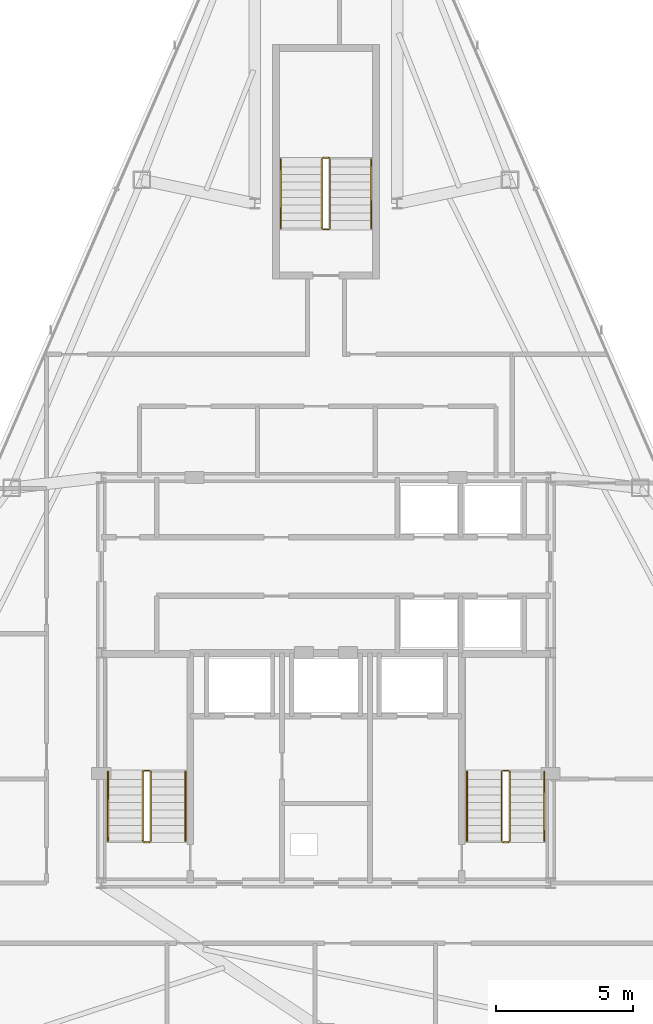
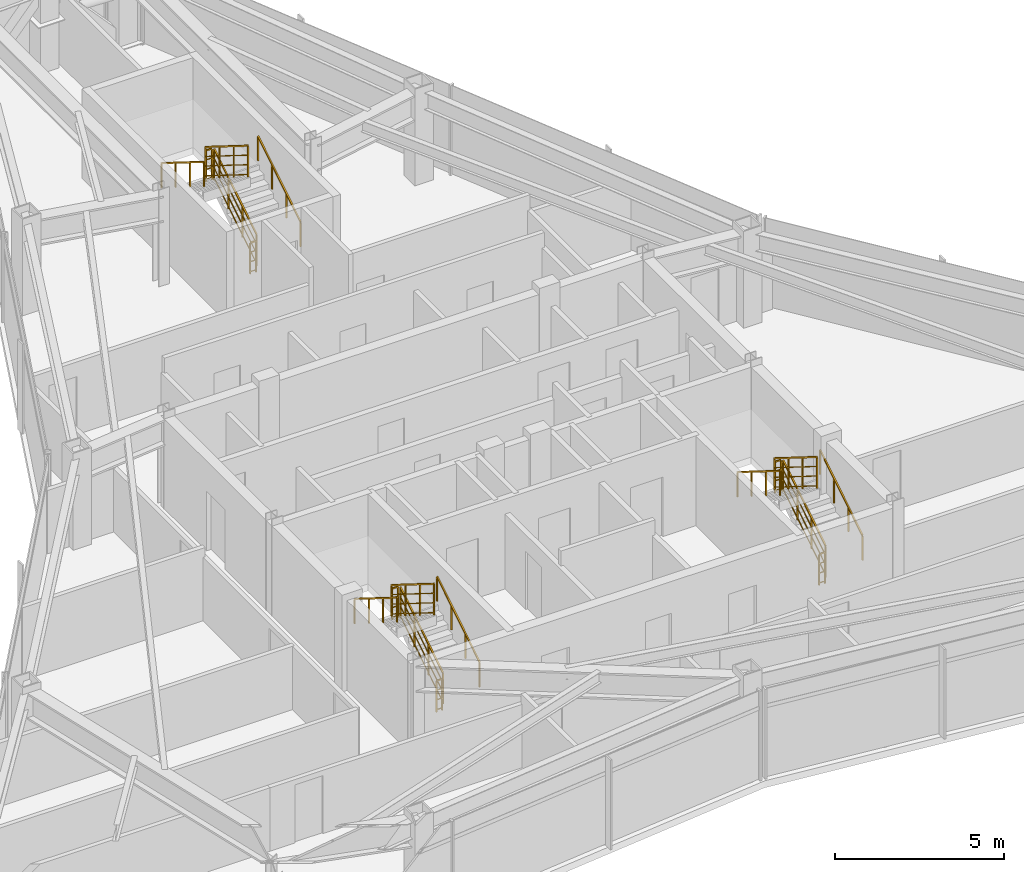
# One storey, part 12 of 12: 18 railings.
"""IFC4 building model written with IfcOpenShell, lengths in metres."""

import ifcopenshell
import ifcopenshell.guid

model = None  # the IFC model being written
_history = None  # IfcOwnerHistory: only IFC2X3 demands one
_inside = {}  # id of a spatial element -> (the spatial element, [elements in it])
_under = {}  # id of a project, library or spatial element -> (it, [spatial elements below it])
_declared = {}  # id of a project -> (the project, [libraries it declares])
_typed = {}  # id of a type object -> (the type object, [elements of that type])
_made_of = {}  # id of a material, layer set ... -> (it, [elements and type objects made of it])


def new_model(schema):
    """Start an empty IFC model of exactly this schema.

    Asked for "IFC4X3", IfcOpenShell would pick the latest addendum, in which some entities
    have other attributes; the version numbers below select the first issue.
    IFC2X3 requires an IfcOwnerHistory on every rooted entity: one is made here for all.
    """
    global model, _history
    if schema == "IFC4X3":
        model = ifcopenshell.file(schema_version=(4, 3, 0, 0))
    else:
        model = ifcopenshell.file(schema=schema)
    _inside.clear()
    _under.clear()
    _declared.clear()
    _typed.clear()
    _made_of.clear()
    _history = None
    if model.schema == "IFC2X3":
        org = make("IfcOrganization", Name="unknown")
        user = make(
            "IfcPersonAndOrganization",
            ThePerson=make("IfcPerson", FamilyName="unknown"),
            TheOrganization=org,
        )
        app = make(
            "IfcApplication",
            ApplicationDeveloper=org,
            Version="unknown",
            ApplicationFullName="unknown",
            ApplicationIdentifier="unknown",
        )
        _history = make(
            "IfcOwnerHistory",
            OwningUser=user,
            OwningApplication=app,
            ChangeAction="ADDED",
            CreationDate=0,
        )
    return model


def make(cls, **values):
    """One entity of the class cls with the attributes given. An attribute that is None is left unset."""
    return model.create_entity(
        cls, **{name: value for name, value in values.items() if value is not None}
    )


def rooted(cls, **values):
    """An entity with a GlobalId (a new one), such as an element, a storey or a relation."""
    return make(cls, GlobalId=ifcopenshell.guid.new(), OwnerHistory=_history, **values)


def si_unit(unit_type, name, prefix=None):
    """IfcSIUnit, for example si_unit("LENGTHUNIT", "METRE", prefix="MILLI")."""
    return make("IfcSIUnit", UnitType=unit_type, Prefix=prefix, Name=name)


def assignment(units):
    """IfcUnitAssignment: the units of a project."""
    return None if units is None else make("IfcUnitAssignment", Units=units)


def point(xyz):
    """IfcCartesianPoint."""
    return None if xyz is None else make("IfcCartesianPoint", Coordinates=xyz)


def direction(xyz):
    """IfcDirection."""
    return None if xyz is None else make("IfcDirection", DirectionRatios=xyz)


def frame(location, z_axis=None, x_axis=None):
    """IfcAxis2Placement3D, a coordinate frame: its origin and axes. An axis left out is left unset."""
    return make(
        "IfcAxis2Placement3D",
        Location=point(location),
        Axis=direction(z_axis),
        RefDirection=direction(x_axis),
    )


def frame_2d(location, x_axis=None):
    """IfcAxis2Placement2D, a coordinate frame in the plane: its origin and x axis."""
    return make(
        "IfcAxis2Placement2D", Location=point(location), RefDirection=direction(x_axis)
    )


def origin():
    """The frame at (0, 0, 0) with its axes left unset."""
    return frame((0.0, 0.0, 0.0))


def origin_2d():
    """The frame at (0, 0) in the plane with its x axis left unset."""
    return frame_2d((0.0, 0.0))


def place(relative_to, where):
    """IfcLocalPlacement: puts the frame where relative to a parent placement (None: the world)."""
    return make(
        "IfcLocalPlacement", PlacementRelTo=relative_to, RelativePlacement=where
    )


def context(
    kind, dimensions, precision=None, world=None, true_north=None, identifier=None
):
    """IfcGeometricRepresentationContext, for example the 3D "Model" context."""
    return make(
        "IfcGeometricRepresentationContext",
        ContextIdentifier=identifier,
        ContextType=kind,
        CoordinateSpaceDimension=dimensions,
        Precision=precision,
        WorldCoordinateSystem=world,
        TrueNorth=true_north,
    )


def subcontext(parent, identifier, kind, view, scale=None):
    """IfcGeometricRepresentationSubContext, for example "Body" below "Model"."""
    return make(
        "IfcGeometricRepresentationSubContext",
        ContextIdentifier=identifier,
        ContextType=kind,
        ParentContext=parent,
        TargetScale=scale,
        TargetView=view,
    )


def project(units=None, contexts=None):
    """IfcProject with its units and contexts."""
    return rooted(
        "IfcProject",
        Name="project",
        RepresentationContexts=contexts,
        UnitsInContext=assignment(units),
    )


def spatial(cls, under=None, at=None, **own):
    """A site, building, storey or space (cls), placed at a placement, below another one or the project."""
    s = rooted(cls, ObjectPlacement=at, **own)
    if under is not None:
        _under.setdefault(under.id(), (under, []))[1].append(s)
    return s


def profile(cls, at=None, kind="AREA", **sizes):
    """A parametric profile (cls). Its sizes go by their IFC names, for example OverallWidth=200.0."""
    return make(cls, ProfileType=kind, Position=at, **sizes)


def rectangle(**sizes):
    """IfcRectangleProfileDef."""
    return profile("IfcRectangleProfileDef", **sizes)


def extrude(swept, where, along, depth):
    """IfcExtrudedAreaSolid: the profile swept, set in the frame where, extruded along a direction by depth."""
    return make(
        "IfcExtrudedAreaSolid",
        SweptArea=swept,
        Position=where,
        ExtrudedDirection=direction(along),
        Depth=depth,
    )


def shape(context_of_items, identifier, shape_type, items):
    """IfcShapeRepresentation: the items that make up one representation, for example the "Body"."""
    return make(
        "IfcShapeRepresentation",
        ContextOfItems=context_of_items,
        RepresentationIdentifier=identifier,
        RepresentationType=shape_type,
        Items=items,
    )


def material(Name=None, Category=None):
    """IfcMaterial."""
    return make("IfcMaterial", Name=Name, Category=Category)


def made_of(thing, what):
    """Note that an element or type object is made of a material, layer set ...; save() writes the relation."""
    if what is not None:
        _made_of.setdefault(what.id(), (what, []))[1].append(thing)
    return thing


def type_object(cls, material=None, **own):
    """A type object (cls), such as IfcWallType, which elements share."""
    return made_of(rooted(cls, **own), material)


def element(
    cls,
    number,
    at=None,
    inside=None,
    cuts=None,
    type_object=None,
    material=None,
    context=None,
    identifier="Body",
    shape_type=None,
    held_by="IfcProductDefinitionShape",
    body=None,
    shapes=None,
    **own,
):
    """One element of the class cls, such as IfcWall. Its Tag is "e" and its number.

    at: its placement. inside: the storey or other place that contains it. cuts: it is an
    opening in that element (IfcRelVoidsElement). A single representation is given by context,
    identifier, shape_type and body (its items); several are given by shapes. held_by: the class
    of the entity that holds the representations. save() writes the other relations.
    """
    e = rooted(cls, Tag="e%d" % number, ObjectPlacement=at, **own)
    if body is not None:
        shapes = [shape(context, identifier, shape_type, body)]
    if shapes is not None:
        e.Representation = make(held_by, Representations=shapes)
    if inside is not None:
        _inside.setdefault(inside.id(), (inside, []))[1].append(e)
    if cuts is not None:
        rooted(
            "IfcRelVoidsElement", RelatingBuildingElement=cuts, RelatedOpeningElement=e
        )
    if type_object is not None:
        _typed.setdefault(type_object.id(), (type_object, []))[1].append(e)
    return made_of(e, material)


def aggregate(whole, parts):
    """IfcRelAggregates: a whole, such as a stair, and the parts it consists of."""
    return rooted("IfcRelAggregates", RelatingObject=whole, RelatedObjects=parts)


def save(model, path):
    """Write the relations noted so far, then the file.

    IfcRelAggregates (storeys below a building ...), IfcRelContainedInSpatialStructure (elements
    in a storey), IfcRelDefinesByType, IfcRelAssociatesMaterial and IfcRelDeclares: one each for
    every whole, place, type object, material and project.
    """
    for whole, parts in _under.values():
        aggregate(whole, parts)
    for where, things in _inside.values():
        rooted(
            "IfcRelContainedInSpatialStructure",
            RelatedElements=things,
            RelatingStructure=where,
        )
    for kind, things in _typed.values():
        rooted("IfcRelDefinesByType", RelatedObjects=things, RelatingType=kind)
    for what, things in _made_of.values():
        rooted("IfcRelAssociatesMaterial", RelatedObjects=things, RelatingMaterial=what)
    for by, libraries in _declared.values():
        rooted("IfcRelDeclares", RelatingContext=by, RelatedDefinitions=libraries)
    model.write(path)


model = new_model("IFC4")

# Units and contexts
model_context = context("Model", 3, precision=1e-05, world=origin(), true_north=direction((0.0, 1.0)))
body_context = subcontext(model_context, "Body", "Model", "MODEL_VIEW")
ifc_project = project(units=[si_unit("LENGTHUNIT", "METRE"), si_unit("AREAUNIT", "SQUARE_METRE"), si_unit("VOLUMEUNIT", "CUBIC_METRE"), si_unit("PLANEANGLEUNIT", "RADIAN"), si_unit("MASSUNIT", "GRAM", prefix="KILO")], contexts=[model_context])

# Site, building, storey
site_placement = place(None, origin())
site = spatial("IfcSite", under=ifc_project, at=site_placement, CompositionType="ELEMENT")
building_placement = place(site_placement, origin())
building = spatial("IfcBuilding", under=site, at=building_placement, Name="Varakhsha Concourse Tower", CompositionType="ELEMENT")
storey_placement = place(building_placement, frame((0.0, 0.0, 276.0)))
storey = spatial("IfcBuildingStorey", under=building, at=storey_placement, Name="L78", CompositionType="ELEMENT", Elevation=276.0)

# Railings
ifc_material = material(Name="Brushed Austenitic Stainless Steel AISI 316", Category="steel")
railing_type_1 = type_object("IfcRailingType", Name="RL-STAIR-GUARD-1100", PredefinedType="GUARDRAIL", material=ifc_material)
railing_1_placement = place(storey_placement, frame((33.610107421875, 17.93994140625, 0.175048828125)))
element("IfcRailing", 1, at=railing_1_placement, inside=storey, type_object=railing_type_1, Name="L78 ST1 stair guard 1", PredefinedType="GUARDRAIL", context=body_context, shape_type="SweptSolid", body=[
    extrude(rectangle(XDim=0.048095703125, YDim=0.048095703125, at=origin_2d()), frame((0.0, 0.0, 1.1259765625), z_axis=(0.0, 0.848007534815, 0.529984170421), x_axis=(-1.0, 0.0, 0.0)), (0.0, 0.0, 1.0), 2.9716796875),
    extrude(rectangle(XDim=0.028076171875, YDim=0.028076171875, at=origin_2d()), frame((0.0, 0.0, 0.080078125), z_axis=(0.0, 0.848007534815, 0.529984170421), x_axis=(-1.0, 0.0, 0.0)), (0.0, 0.0, 1.0), 2.9716796875),
    extrude(rectangle(XDim=0.028076171875, YDim=0.028076171875, at=origin_2d()), frame((0.0, 0.0, 0.43701171875), z_axis=(0.0, 0.848007534815, 0.529984170421), x_axis=(-1.0, 0.0, 0.0)), (0.0, 0.0, 1.0), 2.9716796875),
    extrude(rectangle(XDim=0.028076171875, YDim=0.028076171875, at=origin_2d()), frame((0.0, 0.0, 0.781982421875), z_axis=(0.0, 0.848007534815, 0.529984170421), x_axis=(-1.0, 0.0, 0.0)), (0.0, 0.0, 1.0), 2.9716796875),
    extrude(rectangle(XDim=0.0419921875, YDim=0.0419921875, at=origin_2d()), origin(), (0.0, 0.0, 1.0), 1.101806640625),
    extrude(rectangle(XDim=0.0419921875, YDim=0.0419921875, at=origin_2d()), frame((0.0, 0.840087890625, 0.52490234375)), (0.0, 0.0, 1.0), 1.101806640625),
    extrude(rectangle(XDim=0.0419921875, YDim=0.0419921875, at=origin_2d()), frame((0.0, 1.679931640625, 1.050048828125)), (0.0, 0.0, 1.0), 1.101806640625),
    extrude(rectangle(XDim=0.0419921875, YDim=0.0419921875, at=origin_2d()), frame((0.0, 2.52001953125, 1.574951171875)), (0.0, 0.0, 1.0), 1.101806640625),
])
railing_2_placement = place(storey_placement, frame((33.56005859375, 20.510009765625, 1.75)))
element("IfcRailing", 2, at=railing_2_placement, inside=storey, type_object=railing_type_1, Name="L78 ST1 stair guard 2", PredefinedType="GUARDRAIL", context=body_context, shape_type="SweptSolid", body=[
    extrude(rectangle(XDim=0.048095703125, YDim=0.048095703125, at=origin_2d()), frame((0.0, 0.0, 1.1259765625), z_axis=(-1.0, 0.0, 0.0), x_axis=(0.0, -1.0, 0.0)), (0.0, 0.0, 1.0), 0.199951171875),
    extrude(rectangle(XDim=0.028076171875, YDim=0.028076171875, at=origin_2d()), frame((0.0, 0.0, 0.080078125), z_axis=(-1.0, 0.0, 0.0), x_axis=(0.0, -1.0, 0.0)), (0.0, 0.0, 1.0), 0.199951171875),
    extrude(rectangle(XDim=0.028076171875, YDim=0.028076171875, at=origin_2d()), frame((0.0, 0.0, 0.43701171875), z_axis=(-1.0, 0.0, 0.0), x_axis=(0.0, -1.0, 0.0)), (0.0, 0.0, 1.0), 0.199951171875),
    extrude(rectangle(XDim=0.028076171875, YDim=0.028076171875, at=origin_2d()), frame((0.0, 0.0, 0.781982421875), z_axis=(-1.0, 0.0, 0.0), x_axis=(0.0, -1.0, 0.0)), (0.0, 0.0, 1.0), 0.199951171875),
    extrude(rectangle(XDim=0.0419921875, YDim=0.0419921875, at=origin_2d()), origin(), (0.0, 0.0, 1.0), 1.101806640625),
    extrude(rectangle(XDim=0.0419921875, YDim=0.0419921875, at=origin_2d()), frame((-0.199951171875, 0.0, 0.0)), (0.0, 0.0, 1.0), 1.101806640625),
])
railing_3_placement = place(storey_placement, frame((33.31005859375, 20.4599609375, 1.925048828125)))
element("IfcRailing", 3, at=railing_3_placement, inside=storey, type_object=railing_type_1, Name="L78 ST1 stair guard 3", PredefinedType="GUARDRAIL", context=body_context, shape_type="SweptSolid", body=[
    extrude(rectangle(XDim=0.048095703125, YDim=0.048095703125, at=origin_2d()), frame((0.0, 0.0, 1.1259765625), z_axis=(0.0, -0.848007534815, 0.529984170421), x_axis=(1.0, 0.0, 0.0)), (0.0, 0.0, 1.0), 2.9716796875),
    extrude(rectangle(XDim=0.028076171875, YDim=0.028076171875, at=origin_2d()), frame((0.0, 0.0, 0.080078125), z_axis=(0.0, -0.848007534815, 0.529984170421), x_axis=(1.0, 0.0, 0.0)), (0.0, 0.0, 1.0), 2.9716796875),
    extrude(rectangle(XDim=0.028076171875, YDim=0.028076171875, at=origin_2d()), frame((0.0, 0.0, 0.43701171875), z_axis=(0.0, -0.848007534815, 0.529984170421), x_axis=(1.0, 0.0, 0.0)), (0.0, 0.0, 1.0), 2.9716796875),
    extrude(rectangle(XDim=0.028076171875, YDim=0.028076171875, at=origin_2d()), frame((0.0, 0.0, 0.781982421875), z_axis=(0.0, -0.848007534815, 0.529984170421), x_axis=(1.0, 0.0, 0.0)), (0.0, 0.0, 1.0), 2.9716796875),
    extrude(rectangle(XDim=0.0419921875, YDim=0.0419921875, at=origin_2d()), origin(), (0.0, 0.0, 1.0), 1.101806640625),
    extrude(rectangle(XDim=0.0419921875, YDim=0.0419921875, at=origin_2d()), frame((0.0, -0.840087890625, 0.52490234375)), (0.0, 0.0, 1.0), 1.101806640625),
    extrude(rectangle(XDim=0.0419921875, YDim=0.0419921875, at=origin_2d()), frame((0.0, -1.679931640625, 1.050048828125)), (0.0, 0.0, 1.0), 1.101806640625),
    extrude(rectangle(XDim=0.0419921875, YDim=0.0419921875, at=origin_2d()), frame((0.0, -2.52001953125, 1.574951171875)), (0.0, 0.0, 1.0), 1.101806640625),
])
railing_4_placement = place(storey_placement, frame((33.56005859375, 17.889892578125, 0.0)))
element("IfcRailing", 4, at=railing_4_placement, inside=storey, type_object=railing_type_1, Name="L78 ST1 stair guard 4", PredefinedType="GUARDRAIL", context=body_context, shape_type="SweptSolid", body=[
    extrude(rectangle(XDim=0.048095703125, YDim=0.048095703125, at=origin_2d()), frame((0.0, 0.0, 1.1259765625), z_axis=(-1.0, 0.0, 0.0), x_axis=(0.0, -1.0, 0.0)), (0.0, 0.0, 1.0), 0.199951171875),
    extrude(rectangle(XDim=0.028076171875, YDim=0.028076171875, at=origin_2d()), frame((0.0, 0.0, 0.080078125), z_axis=(-1.0, 0.0, 0.0), x_axis=(0.0, -1.0, 0.0)), (0.0, 0.0, 1.0), 0.199951171875),
    extrude(rectangle(XDim=0.028076171875, YDim=0.028076171875, at=origin_2d()), frame((0.0, 0.0, 0.43701171875), z_axis=(-1.0, 0.0, 0.0), x_axis=(0.0, -1.0, 0.0)), (0.0, 0.0, 1.0), 0.199951171875),
    extrude(rectangle(XDim=0.028076171875, YDim=0.028076171875, at=origin_2d()), frame((0.0, 0.0, 0.781982421875), z_axis=(-1.0, 0.0, 0.0), x_axis=(0.0, -1.0, 0.0)), (0.0, 0.0, 1.0), 0.199951171875),
    extrude(rectangle(XDim=0.0419921875, YDim=0.0419921875, at=origin_2d()), origin(), (0.0, 0.0, 1.0), 1.101806640625),
    extrude(rectangle(XDim=0.0419921875, YDim=0.0419921875, at=origin_2d()), frame((-0.199951171875, 0.0, 0.0)), (0.0, 0.0, 1.0), 1.101806640625),
])
railing_5_placement = place(storey_placement, frame((46.7099609375, 17.93994140625, 0.175048828125)))
element("IfcRailing", 5, at=railing_5_placement, inside=storey, type_object=railing_type_1, Name="L78 ST2 stair guard 1", PredefinedType="GUARDRAIL", context=body_context, shape_type="SweptSolid", body=[
    extrude(rectangle(XDim=0.048095703125, YDim=0.048095703125, at=origin_2d()), frame((0.0, 0.0, 1.1259765625), z_axis=(0.0, 0.848007534815, 0.529984170421), x_axis=(-1.0, 0.0, 0.0)), (0.0, 0.0, 1.0), 2.9716796875),
    extrude(rectangle(XDim=0.028076171875, YDim=0.028076171875, at=origin_2d()), frame((0.0, 0.0, 0.080078125), z_axis=(0.0, 0.848007534815, 0.529984170421), x_axis=(-1.0, 0.0, 0.0)), (0.0, 0.0, 1.0), 2.9716796875),
    extrude(rectangle(XDim=0.028076171875, YDim=0.028076171875, at=origin_2d()), frame((0.0, 0.0, 0.43701171875), z_axis=(0.0, 0.848007534815, 0.529984170421), x_axis=(-1.0, 0.0, 0.0)), (0.0, 0.0, 1.0), 2.9716796875),
    extrude(rectangle(XDim=0.028076171875, YDim=0.028076171875, at=origin_2d()), frame((0.0, 0.0, 0.781982421875), z_axis=(0.0, 0.848007534815, 0.529984170421), x_axis=(-1.0, 0.0, 0.0)), (0.0, 0.0, 1.0), 2.9716796875),
    extrude(rectangle(XDim=0.0419921875, YDim=0.0419921875, at=origin_2d()), origin(), (0.0, 0.0, 1.0), 1.101806640625),
    extrude(rectangle(XDim=0.0419921875, YDim=0.0419921875, at=origin_2d()), frame((0.0, 0.840087890625, 0.52490234375)), (0.0, 0.0, 1.0), 1.101806640625),
    extrude(rectangle(XDim=0.0419921875, YDim=0.0419921875, at=origin_2d()), frame((0.0, 1.679931640625, 1.050048828125)), (0.0, 0.0, 1.0), 1.101806640625),
    extrude(rectangle(XDim=0.0419921875, YDim=0.0419921875, at=origin_2d()), frame((0.0, 2.52001953125, 1.574951171875)), (0.0, 0.0, 1.0), 1.101806640625),
])
railing_6_placement = place(storey_placement, frame((46.659912109375, 20.510009765625, 1.75)))
element("IfcRailing", 6, at=railing_6_placement, inside=storey, type_object=railing_type_1, Name="L78 ST2 stair guard 2", PredefinedType="GUARDRAIL", context=body_context, shape_type="SweptSolid", body=[
    extrude(rectangle(XDim=0.048095703125, YDim=0.048095703125, at=origin_2d()), frame((0.0, 0.0, 1.1259765625), z_axis=(-1.0, 0.0, 0.0), x_axis=(0.0, -1.0, 0.0)), (0.0, 0.0, 1.0), 0.199951171875),
    extrude(rectangle(XDim=0.028076171875, YDim=0.028076171875, at=origin_2d()), frame((0.0, 0.0, 0.080078125), z_axis=(-1.0, 0.0, 0.0), x_axis=(0.0, -1.0, 0.0)), (0.0, 0.0, 1.0), 0.199951171875),
    extrude(rectangle(XDim=0.028076171875, YDim=0.028076171875, at=origin_2d()), frame((0.0, 0.0, 0.43701171875), z_axis=(-1.0, 0.0, 0.0), x_axis=(0.0, -1.0, 0.0)), (0.0, 0.0, 1.0), 0.199951171875),
    extrude(rectangle(XDim=0.028076171875, YDim=0.028076171875, at=origin_2d()), frame((0.0, 0.0, 0.781982421875), z_axis=(-1.0, 0.0, 0.0), x_axis=(0.0, -1.0, 0.0)), (0.0, 0.0, 1.0), 0.199951171875),
    extrude(rectangle(XDim=0.0419921875, YDim=0.0419921875, at=origin_2d()), origin(), (0.0, 0.0, 1.0), 1.101806640625),
    extrude(rectangle(XDim=0.0419921875, YDim=0.0419921875, at=origin_2d()), frame((-0.199951171875, 0.0, 0.0)), (0.0, 0.0, 1.0), 1.101806640625),
])
railing_7_placement = place(storey_placement, frame((46.409912109375, 20.4599609375, 1.925048828125)))
element("IfcRailing", 7, at=railing_7_placement, inside=storey, type_object=railing_type_1, Name="L78 ST2 stair guard 3", PredefinedType="GUARDRAIL", context=body_context, shape_type="SweptSolid", body=[
    extrude(rectangle(XDim=0.048095703125, YDim=0.048095703125, at=origin_2d()), frame((0.0, 0.0, 1.1259765625), z_axis=(0.0, -0.848007534815, 0.529984170421), x_axis=(1.0, 0.0, 0.0)), (0.0, 0.0, 1.0), 2.9716796875),
    extrude(rectangle(XDim=0.028076171875, YDim=0.028076171875, at=origin_2d()), frame((0.0, 0.0, 0.080078125), z_axis=(0.0, -0.848007534815, 0.529984170421), x_axis=(1.0, 0.0, 0.0)), (0.0, 0.0, 1.0), 2.9716796875),
    extrude(rectangle(XDim=0.028076171875, YDim=0.028076171875, at=origin_2d()), frame((0.0, 0.0, 0.43701171875), z_axis=(0.0, -0.848007534815, 0.529984170421), x_axis=(1.0, 0.0, 0.0)), (0.0, 0.0, 1.0), 2.9716796875),
    extrude(rectangle(XDim=0.028076171875, YDim=0.028076171875, at=origin_2d()), frame((0.0, 0.0, 0.781982421875), z_axis=(0.0, -0.848007534815, 0.529984170421), x_axis=(1.0, 0.0, 0.0)), (0.0, 0.0, 1.0), 2.9716796875),
    extrude(rectangle(XDim=0.0419921875, YDim=0.0419921875, at=origin_2d()), origin(), (0.0, 0.0, 1.0), 1.101806640625),
    extrude(rectangle(XDim=0.0419921875, YDim=0.0419921875, at=origin_2d()), frame((0.0, -0.840087890625, 0.52490234375)), (0.0, 0.0, 1.0), 1.101806640625),
    extrude(rectangle(XDim=0.0419921875, YDim=0.0419921875, at=origin_2d()), frame((0.0, -1.679931640625, 1.050048828125)), (0.0, 0.0, 1.0), 1.101806640625),
    extrude(rectangle(XDim=0.0419921875, YDim=0.0419921875, at=origin_2d()), frame((0.0, -2.52001953125, 1.574951171875)), (0.0, 0.0, 1.0), 1.101806640625),
])
railing_8_placement = place(storey_placement, frame((46.659912109375, 17.889892578125, 0.0)))
element("IfcRailing", 8, at=railing_8_placement, inside=storey, type_object=railing_type_1, Name="L78 ST2 stair guard 4", PredefinedType="GUARDRAIL", context=body_context, shape_type="SweptSolid", body=[
    extrude(rectangle(XDim=0.048095703125, YDim=0.048095703125, at=origin_2d()), frame((0.0, 0.0, 1.1259765625), z_axis=(-1.0, 0.0, 0.0), x_axis=(0.0, -1.0, 0.0)), (0.0, 0.0, 1.0), 0.199951171875),
    extrude(rectangle(XDim=0.028076171875, YDim=0.028076171875, at=origin_2d()), frame((0.0, 0.0, 0.080078125), z_axis=(-1.0, 0.0, 0.0), x_axis=(0.0, -1.0, 0.0)), (0.0, 0.0, 1.0), 0.199951171875),
    extrude(rectangle(XDim=0.028076171875, YDim=0.028076171875, at=origin_2d()), frame((0.0, 0.0, 0.43701171875), z_axis=(-1.0, 0.0, 0.0), x_axis=(0.0, -1.0, 0.0)), (0.0, 0.0, 1.0), 0.199951171875),
    extrude(rectangle(XDim=0.028076171875, YDim=0.028076171875, at=origin_2d()), frame((0.0, 0.0, 0.781982421875), z_axis=(-1.0, 0.0, 0.0), x_axis=(0.0, -1.0, 0.0)), (0.0, 0.0, 1.0), 0.199951171875),
    extrude(rectangle(XDim=0.0419921875, YDim=0.0419921875, at=origin_2d()), origin(), (0.0, 0.0, 1.0), 1.101806640625),
    extrude(rectangle(XDim=0.0419921875, YDim=0.0419921875, at=origin_2d()), frame((-0.199951171875, 0.0, 0.0)), (0.0, 0.0, 1.0), 1.101806640625),
])
railing_9_placement = place(storey_placement, frame((40.14990234375, 40.300048828125, 0.175048828125)))
element("IfcRailing", 9, at=railing_9_placement, inside=storey, type_object=railing_type_1, Name="L78 ST5 stair guard 1", PredefinedType="GUARDRAIL", context=body_context, shape_type="SweptSolid", body=[
    extrude(rectangle(XDim=0.048095703125, YDim=0.048095703125, at=origin_2d()), frame((0.0, 0.0, 1.1259765625), z_axis=(0.0, 0.848007534815, 0.529984170421), x_axis=(-1.0, 0.0, 0.0)), (0.0, 0.0, 1.0), 2.9716796875),
    extrude(rectangle(XDim=0.028076171875, YDim=0.028076171875, at=origin_2d()), frame((0.0, 0.0, 0.080078125), z_axis=(0.0, 0.848007534815, 0.529984170421), x_axis=(-1.0, 0.0, 0.0)), (0.0, 0.0, 1.0), 2.9716796875),
    extrude(rectangle(XDim=0.028076171875, YDim=0.028076171875, at=origin_2d()), frame((0.0, 0.0, 0.43701171875), z_axis=(0.0, 0.848007534815, 0.529984170421), x_axis=(-1.0, 0.0, 0.0)), (0.0, 0.0, 1.0), 2.9716796875),
    extrude(rectangle(XDim=0.028076171875, YDim=0.028076171875, at=origin_2d()), frame((0.0, 0.0, 0.781982421875), z_axis=(0.0, 0.848007534815, 0.529984170421), x_axis=(-1.0, 0.0, 0.0)), (0.0, 0.0, 1.0), 2.9716796875),
    extrude(rectangle(XDim=0.0419921875, YDim=0.0419921875, at=origin_2d()), origin(), (0.0, 0.0, 1.0), 1.101806640625),
    extrude(rectangle(XDim=0.0419921875, YDim=0.0419921875, at=origin_2d()), frame((0.0, 0.840087890625, 0.52490234375)), (0.0, 0.0, 1.0), 1.101806640625),
    extrude(rectangle(XDim=0.0419921875, YDim=0.0419921875, at=origin_2d()), frame((0.0, 1.679931640625, 1.050048828125)), (0.0, 0.0, 1.0), 1.101806640625),
    extrude(rectangle(XDim=0.0419921875, YDim=0.0419921875, at=origin_2d()), frame((0.0, 2.52001953125, 1.574951171875)), (0.0, 0.0, 1.0), 1.101806640625),
])
railing_10_placement = place(storey_placement, frame((40.10009765625, 42.8701171875, 1.75)))
element("IfcRailing", 10, at=railing_10_placement, inside=storey, type_object=railing_type_1, Name="L78 ST5 stair guard 2", PredefinedType="GUARDRAIL", context=body_context, shape_type="SweptSolid", body=[
    extrude(rectangle(XDim=0.048095703125, YDim=0.048095703125, at=origin_2d()), frame((0.0, 0.0, 1.1259765625), z_axis=(-1.0, 0.0, 0.0), x_axis=(0.0, -1.0, 0.0)), (0.0, 0.0, 1.0), 0.2001953125),
    extrude(rectangle(XDim=0.028076171875, YDim=0.028076171875, at=origin_2d()), frame((0.0, 0.0, 0.080078125), z_axis=(-1.0, 0.0, 0.0), x_axis=(0.0, -1.0, 0.0)), (0.0, 0.0, 1.0), 0.2001953125),
    extrude(rectangle(XDim=0.028076171875, YDim=0.028076171875, at=origin_2d()), frame((0.0, 0.0, 0.43701171875), z_axis=(-1.0, 0.0, 0.0), x_axis=(0.0, -1.0, 0.0)), (0.0, 0.0, 1.0), 0.2001953125),
    extrude(rectangle(XDim=0.028076171875, YDim=0.028076171875, at=origin_2d()), frame((0.0, 0.0, 0.781982421875), z_axis=(-1.0, 0.0, 0.0), x_axis=(0.0, -1.0, 0.0)), (0.0, 0.0, 1.0), 0.2001953125),
    extrude(rectangle(XDim=0.0419921875, YDim=0.0419921875, at=origin_2d()), origin(), (0.0, 0.0, 1.0), 1.101806640625),
    extrude(rectangle(XDim=0.0419921875, YDim=0.0419921875, at=origin_2d()), frame((-0.2001953125, 0.0, 0.0)), (0.0, 0.0, 1.0), 1.101806640625),
])
railing_11_placement = place(storey_placement, frame((39.85009765625, 42.820068359375, 1.925048828125)))
element("IfcRailing", 11, at=railing_11_placement, inside=storey, type_object=railing_type_1, Name="L78 ST5 stair guard 3", PredefinedType="GUARDRAIL", context=body_context, shape_type="SweptSolid", body=[
    extrude(rectangle(XDim=0.048095703125, YDim=0.048095703125, at=origin_2d()), frame((0.0, 0.0, 1.1259765625), z_axis=(0.0, -0.848007534815, 0.529984170421), x_axis=(1.0, 0.0, 0.0)), (0.0, 0.0, 1.0), 2.9716796875),
    extrude(rectangle(XDim=0.028076171875, YDim=0.028076171875, at=origin_2d()), frame((0.0, 0.0, 0.080078125), z_axis=(0.0, -0.848007534815, 0.529984170421), x_axis=(1.0, 0.0, 0.0)), (0.0, 0.0, 1.0), 2.9716796875),
    extrude(rectangle(XDim=0.028076171875, YDim=0.028076171875, at=origin_2d()), frame((0.0, 0.0, 0.43701171875), z_axis=(0.0, -0.848007534815, 0.529984170421), x_axis=(1.0, 0.0, 0.0)), (0.0, 0.0, 1.0), 2.9716796875),
    extrude(rectangle(XDim=0.028076171875, YDim=0.028076171875, at=origin_2d()), frame((0.0, 0.0, 0.781982421875), z_axis=(0.0, -0.848007534815, 0.529984170421), x_axis=(1.0, 0.0, 0.0)), (0.0, 0.0, 1.0), 2.9716796875),
    extrude(rectangle(XDim=0.0419921875, YDim=0.0419921875, at=origin_2d()), origin(), (0.0, 0.0, 1.0), 1.101806640625),
    extrude(rectangle(XDim=0.0419921875, YDim=0.0419921875, at=origin_2d()), frame((0.0, -0.840087890625, 0.52490234375)), (0.0, 0.0, 1.0), 1.101806640625),
    extrude(rectangle(XDim=0.0419921875, YDim=0.0419921875, at=origin_2d()), frame((0.0, -1.679931640625, 1.050048828125)), (0.0, 0.0, 1.0), 1.101806640625),
    extrude(rectangle(XDim=0.0419921875, YDim=0.0419921875, at=origin_2d()), frame((0.0, -2.52001953125, 1.574951171875)), (0.0, 0.0, 1.0), 1.101806640625),
])
railing_12_placement = place(storey_placement, frame((40.10009765625, 40.25, 0.0)))
element("IfcRailing", 12, at=railing_12_placement, inside=storey, type_object=railing_type_1, Name="L78 ST5 stair guard 4", PredefinedType="GUARDRAIL", context=body_context, shape_type="SweptSolid", body=[
    extrude(rectangle(XDim=0.048095703125, YDim=0.048095703125, at=origin_2d()), frame((0.0, 0.0, 1.1259765625), z_axis=(-1.0, 0.0, 0.0), x_axis=(0.0, -1.0, 0.0)), (0.0, 0.0, 1.0), 0.2001953125),
    extrude(rectangle(XDim=0.028076171875, YDim=0.028076171875, at=origin_2d()), frame((0.0, 0.0, 0.080078125), z_axis=(-1.0, 0.0, 0.0), x_axis=(0.0, -1.0, 0.0)), (0.0, 0.0, 1.0), 0.2001953125),
    extrude(rectangle(XDim=0.028076171875, YDim=0.028076171875, at=origin_2d()), frame((0.0, 0.0, 0.43701171875), z_axis=(-1.0, 0.0, 0.0), x_axis=(0.0, -1.0, 0.0)), (0.0, 0.0, 1.0), 0.2001953125),
    extrude(rectangle(XDim=0.028076171875, YDim=0.028076171875, at=origin_2d()), frame((0.0, 0.0, 0.781982421875), z_axis=(-1.0, 0.0, 0.0), x_axis=(0.0, -1.0, 0.0)), (0.0, 0.0, 1.0), 0.2001953125),
    extrude(rectangle(XDim=0.0419921875, YDim=0.0419921875, at=origin_2d()), origin(), (0.0, 0.0, 1.0), 1.101806640625),
    extrude(rectangle(XDim=0.0419921875, YDim=0.0419921875, at=origin_2d()), frame((-0.2001953125, 0.0, 0.0)), (0.0, 0.0, 1.0), 1.101806640625),
])
railing_type_2 = type_object("IfcRailingType", Name="RL-STAIR-RAIL-915", PredefinedType="HANDRAIL", material=ifc_material)
railing_13_placement = place(storey_placement, frame((34.8701171875, 17.93994140625, 0.35009765625)))
element("IfcRailing", 13, at=railing_13_placement, inside=storey, type_object=railing_type_2, Name="L78 ST1 stair handrail 1", PredefinedType="HANDRAIL", context=body_context, shape_type="SweptSolid", body=[
    extrude(rectangle(XDim=0.048095703125, YDim=0.048095703125, at=origin_2d()), frame((0.0, 0.0, 0.89111328125), z_axis=(0.0, 0.848007534815, 0.529984170421), x_axis=(-1.0, 0.0, 0.0)), (0.0, 0.0, 1.0), 2.9716796875),
    extrude(rectangle(XDim=0.0419921875, YDim=0.0419921875, at=origin_2d()), origin(), (0.0, 0.0, 1.0), 0.866943359375),
    extrude(rectangle(XDim=0.0419921875, YDim=0.0419921875, at=origin_2d()), frame((0.0, 0.840087890625, 0.52490234375)), (0.0, 0.0, 1.0), 0.866943359375),
    extrude(rectangle(XDim=0.0419921875, YDim=0.0419921875, at=origin_2d()), frame((0.0, 1.679931640625, 1.050048828125)), (0.0, 0.0, 1.0), 0.866943359375),
    extrude(rectangle(XDim=0.0419921875, YDim=0.0419921875, at=origin_2d()), frame((0.0, 2.52001953125, 1.574951171875)), (0.0, 0.0, 1.0), 0.866943359375),
])
railing_14_placement = place(storey_placement, frame((32.050048828125, 20.4599609375, 2.10009765625)))
element("IfcRailing", 14, at=railing_14_placement, inside=storey, type_object=railing_type_2, Name="L78 ST1 stair handrail 2", PredefinedType="HANDRAIL", context=body_context, shape_type="SweptSolid", body=[
    extrude(rectangle(XDim=0.048095703125, YDim=0.048095703125, at=origin_2d()), frame((0.0, 0.0, 0.89111328125), z_axis=(0.0, -0.848007534815, 0.529984170421), x_axis=(1.0, 0.0, 0.0)), (0.0, 0.0, 1.0), 2.9716796875),
    extrude(rectangle(XDim=0.0419921875, YDim=0.0419921875, at=origin_2d()), origin(), (0.0, 0.0, 1.0), 0.866943359375),
    extrude(rectangle(XDim=0.0419921875, YDim=0.0419921875, at=origin_2d()), frame((0.0, -0.840087890625, 0.52490234375)), (0.0, 0.0, 1.0), 0.866943359375),
    extrude(rectangle(XDim=0.0419921875, YDim=0.0419921875, at=origin_2d()), frame((0.0, -1.679931640625, 1.050048828125)), (0.0, 0.0, 1.0), 0.866943359375),
    extrude(rectangle(XDim=0.0419921875, YDim=0.0419921875, at=origin_2d()), frame((0.0, -2.52001953125, 1.574951171875)), (0.0, 0.0, 1.0), 0.866943359375),
])
railing_15_placement = place(storey_placement, frame((47.969970703125, 17.93994140625, 0.35009765625)))
element("IfcRailing", 15, at=railing_15_placement, inside=storey, type_object=railing_type_2, Name="L78 ST2 stair handrail 1", PredefinedType="HANDRAIL", context=body_context, shape_type="SweptSolid", body=[
    extrude(rectangle(XDim=0.048095703125, YDim=0.048095703125, at=origin_2d()), frame((0.0, 0.0, 0.89111328125), z_axis=(0.0, 0.848007534815, 0.529984170421), x_axis=(-1.0, 0.0, 0.0)), (0.0, 0.0, 1.0), 2.9716796875),
    extrude(rectangle(XDim=0.0419921875, YDim=0.0419921875, at=origin_2d()), origin(), (0.0, 0.0, 1.0), 0.866943359375),
    extrude(rectangle(XDim=0.0419921875, YDim=0.0419921875, at=origin_2d()), frame((0.0, 0.840087890625, 0.52490234375)), (0.0, 0.0, 1.0), 0.866943359375),
    extrude(rectangle(XDim=0.0419921875, YDim=0.0419921875, at=origin_2d()), frame((0.0, 1.679931640625, 1.050048828125)), (0.0, 0.0, 1.0), 0.866943359375),
    extrude(rectangle(XDim=0.0419921875, YDim=0.0419921875, at=origin_2d()), frame((0.0, 2.52001953125, 1.574951171875)), (0.0, 0.0, 1.0), 0.866943359375),
])
railing_16_placement = place(storey_placement, frame((45.14990234375, 20.4599609375, 2.10009765625)))
element("IfcRailing", 16, at=railing_16_placement, inside=storey, type_object=railing_type_2, Name="L78 ST2 stair handrail 2", PredefinedType="HANDRAIL", context=body_context, shape_type="SweptSolid", body=[
    extrude(rectangle(XDim=0.048095703125, YDim=0.048095703125, at=origin_2d()), frame((0.0, 0.0, 0.89111328125), z_axis=(0.0, -0.848007534815, 0.529984170421), x_axis=(1.0, 0.0, 0.0)), (0.0, 0.0, 1.0), 2.9716796875),
    extrude(rectangle(XDim=0.0419921875, YDim=0.0419921875, at=origin_2d()), origin(), (0.0, 0.0, 1.0), 0.866943359375),
    extrude(rectangle(XDim=0.0419921875, YDim=0.0419921875, at=origin_2d()), frame((0.0, -0.840087890625, 0.52490234375)), (0.0, 0.0, 1.0), 0.866943359375),
    extrude(rectangle(XDim=0.0419921875, YDim=0.0419921875, at=origin_2d()), frame((0.0, -1.679931640625, 1.050048828125)), (0.0, 0.0, 1.0), 0.866943359375),
    extrude(rectangle(XDim=0.0419921875, YDim=0.0419921875, at=origin_2d()), frame((0.0, -2.52001953125, 1.574951171875)), (0.0, 0.0, 1.0), 0.866943359375),
])
railing_17_placement = place(storey_placement, frame((41.64990234375, 40.300048828125, 0.35009765625)))
element("IfcRailing", 17, at=railing_17_placement, inside=storey, type_object=railing_type_2, Name="L78 ST5 stair handrail 1", PredefinedType="HANDRAIL", context=body_context, shape_type="SweptSolid", body=[
    extrude(rectangle(XDim=0.048095703125, YDim=0.048095703125, at=origin_2d()), frame((0.0, 0.0, 0.89111328125), z_axis=(0.0, 0.848007534815, 0.529984170421), x_axis=(-1.0, 0.0, 0.0)), (0.0, 0.0, 1.0), 2.9716796875),
    extrude(rectangle(XDim=0.0419921875, YDim=0.0419921875, at=origin_2d()), origin(), (0.0, 0.0, 1.0), 0.866943359375),
    extrude(rectangle(XDim=0.0419921875, YDim=0.0419921875, at=origin_2d()), frame((0.0, 0.840087890625, 0.52490234375)), (0.0, 0.0, 1.0), 0.866943359375),
    extrude(rectangle(XDim=0.0419921875, YDim=0.0419921875, at=origin_2d()), frame((0.0, 1.679931640625, 1.050048828125)), (0.0, 0.0, 1.0), 0.866943359375),
    extrude(rectangle(XDim=0.0419921875, YDim=0.0419921875, at=origin_2d()), frame((0.0, 2.52001953125, 1.574951171875)), (0.0, 0.0, 1.0), 0.866943359375),
])
railing_18_placement = place(storey_placement, frame((38.35009765625, 42.820068359375, 2.10009765625)))
element("IfcRailing", 18, at=railing_18_placement, inside=storey, type_object=railing_type_2, Name="L78 ST5 stair handrail 2", PredefinedType="HANDRAIL", context=body_context, shape_type="SweptSolid", body=[
    extrude(rectangle(XDim=0.048095703125, YDim=0.048095703125, at=origin_2d()), frame((0.0, 0.0, 0.89111328125), z_axis=(0.0, -0.848007534815, 0.529984170421), x_axis=(1.0, 0.0, 0.0)), (0.0, 0.0, 1.0), 2.9716796875),
    extrude(rectangle(XDim=0.0419921875, YDim=0.0419921875, at=origin_2d()), origin(), (0.0, 0.0, 1.0), 0.866943359375),
    extrude(rectangle(XDim=0.0419921875, YDim=0.0419921875, at=origin_2d()), frame((0.0, -0.840087890625, 0.52490234375)), (0.0, 0.0, 1.0), 0.866943359375),
    extrude(rectangle(XDim=0.0419921875, YDim=0.0419921875, at=origin_2d()), frame((0.0, -1.679931640625, 1.050048828125)), (0.0, 0.0, 1.0), 0.866943359375),
    extrude(rectangle(XDim=0.0419921875, YDim=0.0419921875, at=origin_2d()), frame((0.0, -2.52001953125, 1.574951171875)), (0.0, 0.0, 1.0), 0.866943359375),
])

save(model, "model.ifc")
